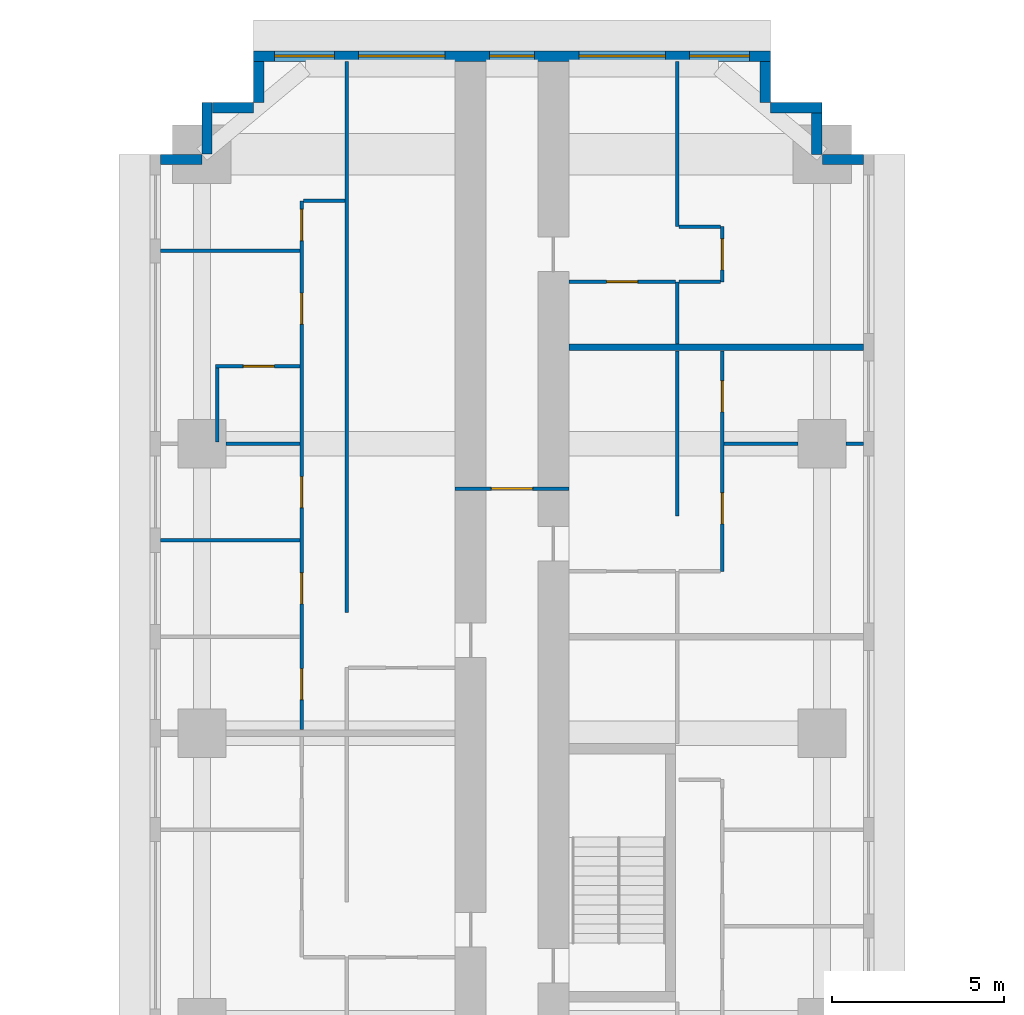
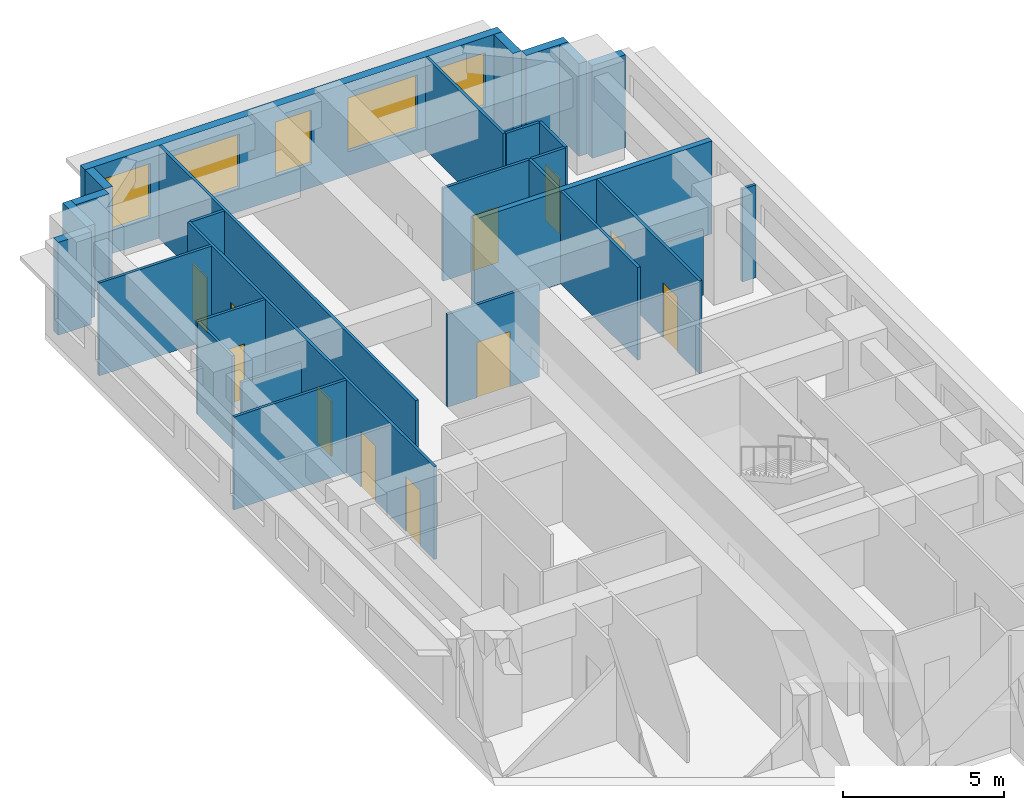
# One storey, part 13 of 15: 29 walls, 11 doors, 5 windows, 16 openings.
"""IFC4 building model written with IfcOpenShell, lengths in metres."""

from ifc_helpers import new_model, si_unit, direction, frame, frame_2d, origin, place, context, subcontext, project, spatial, rectangle, extrude, material, layer, layer_set, type_object, element, fill, save


model = new_model("IFC4")

# Units and contexts
model_context = context("Model", 3, precision=1e-05, world=origin(), true_north=direction((0.0, 1.0)))
body_context = subcontext(model_context, "Body", "Model", "MODEL_VIEW")
ifc_project = project(units=[si_unit("LENGTHUNIT", "METRE"), si_unit("AREAUNIT", "SQUARE_METRE"), si_unit("VOLUMEUNIT", "CUBIC_METRE"), si_unit("PLANEANGLEUNIT", "RADIAN"), si_unit("MASSUNIT", "GRAM", prefix="KILO")], contexts=[model_context])

# Site, building, storey
site_placement = place(None, origin())
site = spatial("IfcSite", under=ifc_project, at=site_placement, CompositionType="ELEMENT")
building_placement = place(site_placement, origin())
building = spatial("IfcBuilding", under=site, at=building_placement, Name="Impinga Residences", CompositionType="ELEMENT")
storey_placement = place(building_placement, frame((0.0, 0.0, 82.25)))
storey = spatial("IfcBuildingStorey", under=building, at=storey_placement, Name="L20", CompositionType="ELEMENT", Elevation=82.25)

# Wall, opening, door
ifc_material_1 = material(Name="Concrete blockwork", Category="masonry")
ifc_layer_1 = layer(ifc_material_1, 0.10009765625)
ifc_layer_set_1 = layer_set([ifc_layer_1], Name="CP1 core room partition, blockwork 100")
wall_type_1 = type_object("IfcWallType", Name="CP1 core room partition, blockwork 100", PredefinedType="PARTITIONING", material=ifc_layer_set_1)
wall_1_placement = place(storey_placement, frame((-1.64990234375, 35.33203125, 0.0), z_axis=(0.0, 0.0, 1.0), x_axis=(1.0, 0.0, 0.0)))
wall_1 = element("IfcWall", 1, at=wall_1_placement, inside=storey, type_object=wall_type_1, Name="Core room partition, blockwork L20:N:SCR", PredefinedType="PARTITIONING", context=body_context, shape_type="SweptSolid", body=[
    extrude(rectangle(XDim=3.2998046875, YDim=0.10009765625, at=frame_2d((1.64990234375, 0.0))), origin(), (0.0, 0.0, 1.0), 3.530029296875),
])
opening_1_placement = place(wall_1_placement, frame((1.050048828125, 0.0, 0.0)))
opening_1 = element("IfcOpeningElement", 2, at=opening_1_placement, cuts=wall_1, Name="Opening D3", PredefinedType="OPENING", context=body_context, shape_type="SweptSolid", body=[
    extrude(rectangle(XDim=1.199951171875, YDim=2.10009765625, at=frame_2d((0.60009765625, 1.050048828125))), frame((0.0, 0.06005859375, 0.0), z_axis=(0.0, -1.0, 0.0), x_axis=(1.0, 0.0, 0.0)), (0.0, 0.0, 1.0), 0.1201171875),
])
ifc_material_2 = material(Name="Timber door set", Category="wood")
door_type_1 = type_object("IfcDoorType", Name="D3 room door, leaf and a half 1200x2100", OperationType="DOUBLE_SWING_LEFT", PredefinedType="DOOR", material=ifc_material_2)
door_1_placement = place(opening_1_placement, origin())
door_1 = element("IfcDoor", 3, at=door_1_placement, inside=storey, type_object=door_type_1, Name="Corridor smoke door N", OperationType="DOUBLE_SWING_LEFT", OverallHeight=2.10009765625, OverallWidth=1.199951171875, PredefinedType="DOOR", context=body_context, shape_type="SweptSolid", body=[
    extrude(rectangle(XDim=1.199951171875, YDim=2.10009765625, at=frame_2d((0.60009765625, 1.050048828125))), frame((0.0, 0.02490234375, 0.0), z_axis=(0.0, -1.0, 0.0), x_axis=(1.0, 0.0, 0.0)), (0.0, 0.0, 1.0), 0.050048828125),
])
fill(opening_1, door_1)

# Walls
ifc_material_3 = material(Name="Terracotta rainscreen on blockwork", Category="masonry")
ifc_layer_2 = layer(ifc_material_3, 0.300048828125)
ifc_layer_set_2 = layer_set([ifc_layer_2], Name="EW1 external wall, terracotta rainscreen on blockwork 300")
wall_type_2 = type_object("IfcWallType", Name="EW1 external wall, terracotta rainscreen on blockwork 300", PredefinedType="SOLIDWALL", material=ifc_layer_set_2)
wall_2_placement = place(storey_placement, frame((-10.199951171875, 44.881591796875, 0.0), z_axis=(0.0, 0.0, 1.0), x_axis=(1.0, 0.0, 0.0)))
element("IfcWall", 4, at=wall_2_placement, inside=storey, type_object=wall_type_2, Name="External wall EW1 L20", PredefinedType="SOLIDWALL", context=body_context, shape_type="SweptSolid", body=[
    extrude(rectangle(XDim=1.199951171875, YDim=0.300048828125, at=frame_2d((0.60009765625, 0.0))), origin(), (0.0, 0.0, 1.0), 3.530029296875),
])
wall_3_placement = place(storey_placement, frame((-8.85009765625, 45.03662109375, 0.0), z_axis=(0.0, 0.0, 1.0), x_axis=(0.0, 1.0, 0.0)))
element("IfcWall", 5, at=wall_3_placement, inside=storey, type_object=wall_type_2, Name="External wall EW1 L20", PredefinedType="SOLIDWALL", context=body_context, shape_type="SweptSolid", body=[
    extrude(rectangle(XDim=1.494873046875, YDim=0.300048828125, at=frame_2d((0.74755859375, 0.0))), origin(), (0.0, 0.0, 1.0), 3.530029296875),
])
wall_4_placement = place(storey_placement, frame((-8.699951171875, 46.381591796875, 0.0), z_axis=(0.0, 0.0, 1.0), x_axis=(1.0, 0.0, 0.0)))
element("IfcWall", 6, at=wall_4_placement, inside=storey, type_object=wall_type_2, Name="External wall EW1 L20", PredefinedType="SOLIDWALL", context=body_context, shape_type="SweptSolid", body=[
    extrude(rectangle(XDim=1.199951171875, YDim=0.300048828125, at=frame_2d((0.60009765625, 0.0))), origin(), (0.0, 0.0, 1.0), 3.530029296875),
])
wall_5_placement = place(storey_placement, frame((-7.35009765625, 46.53662109375, 0.0), z_axis=(0.0, 0.0, 1.0), x_axis=(0.0, 1.0, 0.0)))
element("IfcWall", 7, at=wall_5_placement, inside=storey, type_object=wall_type_2, Name="External wall EW1 L20", PredefinedType="SOLIDWALL", context=body_context, shape_type="SweptSolid", body=[
    extrude(rectangle(XDim=1.19482421875, YDim=0.300048828125, at=frame_2d((0.597412109375, 0.0))), origin(), (0.0, 0.0, 1.0), 3.530029296875),
])

# Wall, openings, windows
wall_6_placement = place(storey_placement, frame((-7.5, 47.881591796875, 0.0), z_axis=(0.0, 0.0, 1.0), x_axis=(1.0, 0.0, 0.0)))
wall_6 = element("IfcWall", 8, at=wall_6_placement, inside=storey, type_object=wall_type_2, Name="External wall EW1 L20", PredefinedType="SOLIDWALL", context=body_context, shape_type="SweptSolid", body=[
    extrude(rectangle(XDim=15.0, YDim=0.300048828125, at=frame_2d((7.5, 0.0))), origin(), (0.0, 0.0, 1.0), 3.530029296875),
])
opening_2_placement = place(wall_6_placement, frame((0.60009765625, 0.0, 0.89990234375)))
opening_2 = element("IfcOpeningElement", 9, at=opening_2_placement, cuts=wall_6, Name="Opening W1", PredefinedType="OPENING", context=body_context, shape_type="SweptSolid", body=[
    extrude(rectangle(XDim=1.75, YDim=2.050048828125, at=frame_2d((0.875, 1.02490234375))), frame((0.0, 0.159912109375, 0.0), z_axis=(0.0, -1.0, 0.0), x_axis=(1.0, 0.0, 0.0)), (0.0, 0.0, 1.0), 0.320068359375),
])
opening_3_placement = place(wall_6_placement, frame((3.050048828125, 0.0, 0.89990234375)))
opening_3 = element("IfcOpeningElement", 10, at=opening_3_placement, cuts=wall_6, Name="Opening W2", PredefinedType="OPENING", context=body_context, shape_type="SweptSolid", body=[
    extrude(rectangle(XDim=2.5, YDim=2.050048828125, at=frame_2d((1.25, 1.02490234375))), frame((0.0, 0.159912109375, 0.0), z_axis=(0.0, -1.0, 0.0), x_axis=(1.0, 0.0, 0.0)), (0.0, 0.0, 1.0), 0.320068359375),
])
opening_4_placement = place(wall_6_placement, frame((6.85009765625, 0.0, 0.89990234375)))
opening_4 = element("IfcOpeningElement", 11, at=opening_4_placement, cuts=wall_6, Name="Opening WE1", PredefinedType="OPENING", context=body_context, shape_type="SweptSolid", body=[
    extrude(rectangle(XDim=1.300048828125, YDim=2.050048828125, at=frame_2d((0.64990234375, 1.02490234375))), frame((0.0, 0.159912109375, 0.0), z_axis=(0.0, -1.0, 0.0), x_axis=(1.0, 0.0, 0.0)), (0.0, 0.0, 1.0), 0.320068359375),
])
opening_5_placement = place(wall_6_placement, frame((9.449951171875, 0.0, 0.89990234375)))
opening_5 = element("IfcOpeningElement", 12, at=opening_5_placement, cuts=wall_6, Name="Opening W2", PredefinedType="OPENING", context=body_context, shape_type="SweptSolid", body=[
    extrude(rectangle(XDim=2.5, YDim=2.050048828125, at=frame_2d((1.25, 1.02490234375))), frame((0.0, 0.159912109375, 0.0), z_axis=(0.0, -1.0, 0.0), x_axis=(1.0, 0.0, 0.0)), (0.0, 0.0, 1.0), 0.320068359375),
])
opening_6_placement = place(wall_6_placement, frame((12.64990234375, 0.0, 0.89990234375)))
opening_6 = element("IfcOpeningElement", 13, at=opening_6_placement, cuts=wall_6, Name="Opening W1", PredefinedType="OPENING", context=body_context, shape_type="SweptSolid", body=[
    extrude(rectangle(XDim=1.75, YDim=2.050048828125, at=frame_2d((0.875, 1.02490234375))), frame((0.0, 0.159912109375, 0.0), z_axis=(0.0, -1.0, 0.0), x_axis=(1.0, 0.0, 0.0)), (0.0, 0.0, 1.0), 0.320068359375),
])
ifc_material_4 = material(Name="Aluminium window, clear double glazing", Category="aluminium")
window_type_1 = type_object("IfcWindowType", Name="W1 ribbon window 1750x2050", PartitioningType="SINGLE_PANEL", PredefinedType="WINDOW", material=ifc_material_4)
window_1_placement = place(opening_2_placement, origin())
window_1 = element("IfcWindow", 14, at=window_1_placement, inside=storey, type_object=window_type_1, Name="Window L20", OverallHeight=2.050048828125, OverallWidth=1.75, PartitioningType="SINGLE_PANEL", PredefinedType="WINDOW", context=body_context, shape_type="SweptSolid", body=[
    extrude(rectangle(XDim=1.75, YDim=2.050048828125, at=frame_2d((0.875, 1.02490234375))), frame((0.0, 0.030029296875, 0.0), z_axis=(0.0, -1.0, 0.0), x_axis=(1.0, 0.0, 0.0)), (0.0, 0.0, 1.0), 0.06005859375),
])
fill(opening_2, window_1)
window_2_placement = place(opening_6_placement, origin())
window_2 = element("IfcWindow", 15, at=window_2_placement, inside=storey, type_object=window_type_1, Name="Window L20", OverallHeight=2.050048828125, OverallWidth=1.75, PartitioningType="SINGLE_PANEL", PredefinedType="WINDOW", context=body_context, shape_type="SweptSolid", body=[
    extrude(rectangle(XDim=1.75, YDim=2.050048828125, at=frame_2d((0.875, 1.02490234375))), frame((0.0, 0.030029296875, 0.0), z_axis=(0.0, -1.0, 0.0), x_axis=(1.0, 0.0, 0.0)), (0.0, 0.0, 1.0), 0.06005859375),
])
fill(opening_6, window_2)
window_type_2 = type_object("IfcWindowType", Name="W2 ribbon window 2500x2050", PartitioningType="SINGLE_PANEL", PredefinedType="WINDOW", material=ifc_material_4)
window_3_placement = place(opening_3_placement, origin())
window_3 = element("IfcWindow", 16, at=window_3_placement, inside=storey, type_object=window_type_2, Name="Window L20", OverallHeight=2.050048828125, OverallWidth=2.5, PartitioningType="SINGLE_PANEL", PredefinedType="WINDOW", context=body_context, shape_type="SweptSolid", body=[
    extrude(rectangle(XDim=2.5, YDim=2.050048828125, at=frame_2d((1.25, 1.02490234375))), frame((0.0, 0.030029296875, 0.0), z_axis=(0.0, -1.0, 0.0), x_axis=(1.0, 0.0, 0.0)), (0.0, 0.0, 1.0), 0.06005859375),
])
fill(opening_3, window_3)
window_4_placement = place(opening_5_placement, origin())
window_4 = element("IfcWindow", 17, at=window_4_placement, inside=storey, type_object=window_type_2, Name="Window L20", OverallHeight=2.050048828125, OverallWidth=2.5, PartitioningType="SINGLE_PANEL", PredefinedType="WINDOW", context=body_context, shape_type="SweptSolid", body=[
    extrude(rectangle(XDim=2.5, YDim=2.050048828125, at=frame_2d((1.25, 1.02490234375))), frame((0.0, 0.030029296875, 0.0), z_axis=(0.0, -1.0, 0.0), x_axis=(1.0, 0.0, 0.0)), (0.0, 0.0, 1.0), 0.06005859375),
])
fill(opening_5, window_4)
window_type_3 = type_object("IfcWindowType", Name="WE1 corridor window 1300x2050", PartitioningType="SINGLE_PANEL", PredefinedType="WINDOW", material=ifc_material_4)
window_5_placement = place(opening_4_placement, origin())
window_5 = element("IfcWindow", 18, at=window_5_placement, inside=storey, type_object=window_type_3, Name="Window L20", OverallHeight=2.050048828125, OverallWidth=1.300048828125, PartitioningType="SINGLE_PANEL", PredefinedType="WINDOW", context=body_context, shape_type="SweptSolid", body=[
    extrude(rectangle(XDim=1.300048828125, YDim=2.050048828125, at=frame_2d((0.64990234375, 1.02490234375))), frame((0.0, 0.030029296875, 0.0), z_axis=(0.0, -1.0, 0.0), x_axis=(1.0, 0.0, 0.0)), (0.0, 0.0, 1.0), 0.06005859375),
])
fill(opening_4, window_5)

# Walls
wall_7_placement = place(storey_placement, frame((7.35009765625, 47.7314453125, 0.0), z_axis=(0.0, 0.0, 1.0), x_axis=(0.0, -1.0, 0.0)))
element("IfcWall", 19, at=wall_7_placement, inside=storey, type_object=wall_type_2, Name="External wall EW1 L20", PredefinedType="SOLIDWALL", context=body_context, shape_type="SweptSolid", body=[
    extrude(rectangle(XDim=1.19482421875, YDim=0.300048828125, at=frame_2d((0.597412109375, 0.0))), origin(), (0.0, 0.0, 1.0), 3.530029296875),
])
wall_8_placement = place(storey_placement, frame((7.5, 46.381591796875, 0.0), z_axis=(0.0, 0.0, 1.0), x_axis=(1.0, 0.0, 0.0)))
element("IfcWall", 20, at=wall_8_placement, inside=storey, type_object=wall_type_2, Name="External wall EW1 L20", PredefinedType="SOLIDWALL", context=body_context, shape_type="SweptSolid", body=[
    extrude(rectangle(XDim=1.5, YDim=0.300048828125, at=frame_2d((0.75, 0.0))), origin(), (0.0, 0.0, 1.0), 3.530029296875),
])
wall_9_placement = place(storey_placement, frame((8.85009765625, 46.2314453125, 0.0), z_axis=(0.0, 0.0, 1.0), x_axis=(0.0, -1.0, 0.0)))
element("IfcWall", 21, at=wall_9_placement, inside=storey, type_object=wall_type_2, Name="External wall EW1 L20", PredefinedType="SOLIDWALL", context=body_context, shape_type="SweptSolid", body=[
    extrude(rectangle(XDim=1.199951171875, YDim=0.300048828125, at=frame_2d((0.60009765625, 0.0))), origin(), (0.0, 0.0, 1.0), 3.530029296875),
])
wall_10_placement = place(storey_placement, frame((9.0048828125, 44.881591796875, 0.0), z_axis=(0.0, 0.0, 1.0), x_axis=(1.0, 0.0, 0.0)))
element("IfcWall", 22, at=wall_10_placement, inside=storey, type_object=wall_type_2, Name="External wall EW1 L20", PredefinedType="SOLIDWALL", context=body_context, shape_type="SweptSolid", body=[
    extrude(rectangle(XDim=1.195068359375, YDim=0.300048828125, at=frame_2d((0.59765625, 0.0))), origin(), (0.0, 0.0, 1.0), 3.530029296875),
])
ifc_material_5 = material(Name="Gypsum board on steel studs", Category="steel")
ifc_layer_3 = layer(ifc_material_5, 0.10009765625)
ifc_layer_set_3 = layer_set([ifc_layer_3], Name="Gypsum board on steel studs")
wall_type_3 = type_object("IfcWallType", Name="IP1 partition 100", PredefinedType="PARTITIONING", material=ifc_layer_set_3)
wall_11_placement = place(storey_placement, frame((-4.800048828125, 31.7314453125, 0.0), z_axis=(0.0, 0.0, 1.0), x_axis=(0.0, 1.0, 0.0)))
element("IfcWall", 23, at=wall_11_placement, inside=storey, type_object=wall_type_3, Name="Partition L20-NA3:DIV1", PredefinedType="PARTITIONING", context=body_context, shape_type="SweptSolid", body=[
    extrude(rectangle(XDim=16.0, YDim=0.10009765625, at=frame_2d((8.0, 0.0))), origin(), (0.0, 0.0, 1.0), 3.530029296875),
])

# Wall, openings, doors
wall_12_placement = place(storey_placement, frame((-6.10009765625, 28.33154296875, 0.0), z_axis=(0.0, 0.0, 1.0), x_axis=(0.0, 1.0, 0.0)))
wall_12 = element("IfcWall", 24, at=wall_12_placement, inside=storey, type_object=wall_type_3, Name="Partition L20-NA3:STRIP", PredefinedType="PARTITIONING", context=body_context, shape_type="SweptSolid", body=[
    extrude(rectangle(XDim=15.35009765625, YDim=0.10009765625, at=frame_2d((7.675048828125, 0.0))), origin(), (0.0, 0.0, 1.0), 3.530029296875),
])
opening_7_placement = place(wall_12_placement, frame((0.875, 0.0, 0.0)))
opening_7 = element("IfcOpeningElement", 25, at=opening_7_placement, cuts=wall_12, Name="Opening D2", PredefinedType="OPENING", context=body_context, shape_type="SweptSolid", body=[
    extrude(rectangle(XDim=0.89990234375, YDim=2.10009765625, at=frame_2d((0.449951171875, 1.050048828125))), frame((0.0, 0.06005859375, 0.0), z_axis=(0.0, -1.0, 0.0), x_axis=(1.0, 0.0, 0.0)), (0.0, 0.0, 1.0), 0.1201171875),
])
opening_8_placement = place(wall_12_placement, frame((3.64990234375, 0.0, 0.0)))
opening_8 = element("IfcOpeningElement", 26, at=opening_8_placement, cuts=wall_12, Name="Opening D2", PredefinedType="OPENING", context=body_context, shape_type="SweptSolid", body=[
    extrude(rectangle(XDim=0.89990234375, YDim=2.10009765625, at=frame_2d((0.449951171875, 1.050048828125))), frame((0.0, 0.06005859375, 0.0), z_axis=(0.0, -1.0, 0.0), x_axis=(1.0, 0.0, 0.0)), (0.0, 0.0, 1.0), 0.1201171875),
])
opening_9_placement = place(wall_12_placement, frame((6.449951171875, 0.0, 0.0)))
opening_9 = element("IfcOpeningElement", 27, at=opening_9_placement, cuts=wall_12, Name="Opening D2", PredefinedType="OPENING", context=body_context, shape_type="SweptSolid", body=[
    extrude(rectangle(XDim=0.89990234375, YDim=2.10009765625, at=frame_2d((0.449951171875, 1.050048828125))), frame((0.0, 0.06005859375, 0.0), z_axis=(0.0, -1.0, 0.0), x_axis=(1.0, 0.0, 0.0)), (0.0, 0.0, 1.0), 0.1201171875),
])
opening_10_placement = place(wall_12_placement, frame((11.77490234375, 0.0, 0.0)))
opening_10 = element("IfcOpeningElement", 28, at=opening_10_placement, cuts=wall_12, Name="Opening D2", PredefinedType="OPENING", context=body_context, shape_type="SweptSolid", body=[
    extrude(rectangle(XDim=0.89990234375, YDim=2.10009765625, at=frame_2d((0.449951171875, 1.050048828125))), frame((0.0, 0.06005859375, 0.0), z_axis=(0.0, -1.0, 0.0), x_axis=(1.0, 0.0, 0.0)), (0.0, 0.0, 1.0), 0.1201171875),
])
opening_11_placement = place(wall_12_placement, frame((14.199951171875, 0.0, 0.0)))
opening_11 = element("IfcOpeningElement", 29, at=opening_11_placement, cuts=wall_12, Name="Opening D2", PredefinedType="OPENING", context=body_context, shape_type="SweptSolid", body=[
    extrude(rectangle(XDim=0.89990234375, YDim=2.10009765625, at=frame_2d((0.449951171875, 1.050048828125))), frame((0.0, 0.06005859375, 0.0), z_axis=(0.0, -1.0, 0.0), x_axis=(1.0, 0.0, 0.0)), (0.0, 0.0, 1.0), 0.1201171875),
])
door_type_2 = type_object("IfcDoorType", Name="D2 internal door 900x2100", OperationType="SINGLE_SWING_LEFT", PredefinedType="DOOR", material=ifc_material_2)
door_2_placement = place(opening_7_placement, origin())
door_2 = element("IfcDoor", 30, at=door_2_placement, inside=storey, type_object=door_type_2, Name="Apartment L20-NA3 room door", OperationType="SINGLE_SWING_LEFT", OverallHeight=2.10009765625, OverallWidth=0.89990234375, PredefinedType="DOOR", context=body_context, shape_type="SweptSolid", body=[
    extrude(rectangle(XDim=0.89990234375, YDim=2.10009765625, at=frame_2d((0.449951171875, 1.050048828125))), frame((0.0, 0.02490234375, 0.0), z_axis=(0.0, -1.0, 0.0), x_axis=(1.0, 0.0, 0.0)), (0.0, 0.0, 1.0), 0.050048828125),
])
fill(opening_7, door_2)
door_3_placement = place(opening_8_placement, origin())
door_3 = element("IfcDoor", 31, at=door_3_placement, inside=storey, type_object=door_type_2, Name="Apartment L20-NA3 room door", OperationType="SINGLE_SWING_LEFT", OverallHeight=2.10009765625, OverallWidth=0.89990234375, PredefinedType="DOOR", context=body_context, shape_type="SweptSolid", body=[
    extrude(rectangle(XDim=0.89990234375, YDim=2.10009765625, at=frame_2d((0.449951171875, 1.050048828125))), frame((0.0, 0.02490234375, 0.0), z_axis=(0.0, -1.0, 0.0), x_axis=(1.0, 0.0, 0.0)), (0.0, 0.0, 1.0), 0.050048828125),
])
fill(opening_8, door_3)
door_4_placement = place(opening_9_placement, origin())
door_4 = element("IfcDoor", 32, at=door_4_placement, inside=storey, type_object=door_type_2, Name="Apartment L20-NA3 room door", OperationType="SINGLE_SWING_LEFT", OverallHeight=2.10009765625, OverallWidth=0.89990234375, PredefinedType="DOOR", context=body_context, shape_type="SweptSolid", body=[
    extrude(rectangle(XDim=0.89990234375, YDim=2.10009765625, at=frame_2d((0.449951171875, 1.050048828125))), frame((0.0, 0.02490234375, 0.0), z_axis=(0.0, -1.0, 0.0), x_axis=(1.0, 0.0, 0.0)), (0.0, 0.0, 1.0), 0.050048828125),
])
fill(opening_9, door_4)
door_5_placement = place(opening_10_placement, origin())
door_5 = element("IfcDoor", 33, at=door_5_placement, inside=storey, type_object=door_type_2, Name="Apartment L20-NA3 room door", OperationType="SINGLE_SWING_RIGHT", OverallHeight=2.10009765625, OverallWidth=0.89990234375, PredefinedType="DOOR", context=body_context, shape_type="SweptSolid", body=[
    extrude(rectangle(XDim=0.89990234375, YDim=2.10009765625, at=frame_2d((0.449951171875, 1.050048828125))), frame((0.0, 0.02490234375, 0.0), z_axis=(0.0, -1.0, 0.0), x_axis=(1.0, 0.0, 0.0)), (0.0, 0.0, 1.0), 0.050048828125),
])
fill(opening_10, door_5)
door_6_placement = place(opening_11_placement, origin())
door_6 = element("IfcDoor", 34, at=door_6_placement, inside=storey, type_object=door_type_2, Name="Apartment L20-NA3 room door", OperationType="SINGLE_SWING_RIGHT", OverallHeight=2.10009765625, OverallWidth=0.89990234375, PredefinedType="DOOR", context=body_context, shape_type="SweptSolid", body=[
    extrude(rectangle(XDim=0.89990234375, YDim=2.10009765625, at=frame_2d((0.449951171875, 1.050048828125))), frame((0.0, 0.02490234375, 0.0), z_axis=(0.0, -1.0, 0.0), x_axis=(1.0, 0.0, 0.0)), (0.0, 0.0, 1.0), 0.050048828125),
])
fill(opening_11, door_6)

# Walls
wall_13_placement = place(storey_placement, frame((-4.85009765625, 43.681640625, 0.0), z_axis=(0.0, 0.0, 1.0), x_axis=(-1.0, 0.0, 0.0)))
element("IfcWall", 35, at=wall_13_placement, inside=storey, type_object=wall_type_3, Name="Partition L20-NA3:SE1", PredefinedType="PARTITIONING", context=body_context, shape_type="SweptSolid", body=[
    extrude(rectangle(XDim=1.199951171875, YDim=0.10009765625, at=frame_2d((0.60009765625, 0.0))), origin(), (0.0, 0.0, 1.0), 3.530029296875),
])
wall_14_placement = place(storey_placement, frame((-6.14990234375, 33.83154296875, 0.0), z_axis=(0.0, 0.0, 1.0), x_axis=(-1.0, 0.0, 0.0)))
element("IfcWall", 36, at=wall_14_placement, inside=storey, type_object=wall_type_3, Name="Partition L20-NA3:OB2", PredefinedType="PARTITIONING", context=body_context, shape_type="SweptSolid", body=[
    extrude(rectangle(XDim=4.050048828125, YDim=0.10009765625, at=frame_2d((2.02490234375, 0.0))), origin(), (0.0, 0.0, 1.0), 3.530029296875),
])
wall_15_placement = place(storey_placement, frame((-6.14990234375, 36.631591796875, 0.0), z_axis=(0.0, 0.0, 1.0), x_axis=(-1.0, 0.0, 0.0)))
element("IfcWall", 37, at=wall_15_placement, inside=storey, type_object=wall_type_3, Name="Partition L20-NA3:OB3", PredefinedType="PARTITIONING", context=body_context, shape_type="SweptSolid", body=[
    extrude(rectangle(XDim=2.150146484375, YDim=0.10009765625, at=frame_2d((1.0751953125, 0.0))), origin(), (0.0, 0.0, 1.0), 2.47998046875),
])
wall_16_placement = place(storey_placement, frame((-6.14990234375, 42.2314453125, 0.0), z_axis=(0.0, 0.0, 1.0), x_axis=(-1.0, 0.0, 0.0)))
element("IfcWall", 38, at=wall_16_placement, inside=storey, type_object=wall_type_3, Name="Partition L20-NA3:OB4", PredefinedType="PARTITIONING", context=body_context, shape_type="SweptSolid", body=[
    extrude(rectangle(XDim=4.050048828125, YDim=0.10009765625, at=frame_2d((2.02490234375, 0.0))), origin(), (0.0, 0.0, 1.0), 3.530029296875),
])

# Wall, opening, door
wall_17_placement = place(storey_placement, frame((-6.14990234375, 38.881591796875, 0.0), z_axis=(0.0, 0.0, 1.0), x_axis=(-1.0, 0.0, 0.0)))
wall_17 = element("IfcWall", 39, at=wall_17_placement, inside=storey, type_object=wall_type_3, Name="Partition L20-NA3:EN1", PredefinedType="PARTITIONING", context=body_context, shape_type="SweptSolid", body=[
    extrude(rectangle(XDim=2.4501953125, YDim=0.10009765625, at=frame_2d((1.22509765625, 0.0))), origin(), (0.0, 0.0, 1.0), 3.530029296875),
])
opening_12_placement = place(wall_17_placement, frame((0.75, 0.0, 0.0)))
opening_12 = element("IfcOpeningElement", 40, at=opening_12_placement, cuts=wall_17, Name="Opening D2", PredefinedType="OPENING", context=body_context, shape_type="SweptSolid", body=[
    extrude(rectangle(XDim=0.89990234375, YDim=2.10009765625, at=frame_2d((0.449951171875, 1.050048828125))), frame((0.0, 0.06005859375, 0.0), z_axis=(0.0, -1.0, 0.0), x_axis=(1.0, 0.0, 0.0)), (0.0, 0.0, 1.0), 0.1201171875),
])
door_7_placement = place(opening_12_placement, origin())
door_7 = element("IfcDoor", 41, at=door_7_placement, inside=storey, type_object=door_type_2, Name="Apartment L20-NA3 en-suite door", OperationType="SINGLE_SWING_LEFT", OverallHeight=2.10009765625, OverallWidth=0.89990234375, PredefinedType="DOOR", context=body_context, shape_type="SweptSolid", body=[
    extrude(rectangle(XDim=0.89990234375, YDim=2.10009765625, at=frame_2d((0.449951171875, 1.050048828125))), frame((0.0, 0.02490234375, 0.0), z_axis=(0.0, -1.0, 0.0), x_axis=(1.0, 0.0, 0.0)), (0.0, 0.0, 1.0), 0.050048828125),
])
fill(opening_12, door_7)

# Walls
wall_18_placement = place(storey_placement, frame((-8.550048828125, 36.681640625, 0.0), z_axis=(0.0, 0.0, 1.0), x_axis=(0.0, 1.0, 0.0)))
element("IfcWall", 42, at=wall_18_placement, inside=storey, type_object=wall_type_3, Name="Partition L20-NA3:EN2", PredefinedType="PARTITIONING", context=body_context, shape_type="SweptSolid", body=[
    extrude(rectangle(XDim=2.14990234375, YDim=0.10009765625, at=frame_2d((1.074951171875, 0.0))), origin(), (0.0, 0.0, 1.0), 3.530029296875),
])
wall_19_placement = place(storey_placement, frame((4.800048828125, 34.531494140625, 0.0), z_axis=(0.0, 0.0, 1.0), x_axis=(0.0, 1.0, 0.0)))
element("IfcWall", 43, at=wall_19_placement, inside=storey, type_object=wall_type_3, Name="Partition L20-NF2:DIV1", PredefinedType="PARTITIONING", context=body_context, shape_type="SweptSolid", body=[
    extrude(rectangle(XDim=4.800048828125, YDim=0.10009765625, at=frame_2d((2.39990234375, 0.0))), origin(), (0.0, 0.0, 1.0), 3.530029296875),
])

# Wall, openings, doors
wall_20_placement = place(storey_placement, frame((6.10009765625, 32.931640625, 0.0), z_axis=(0.0, 0.0, 1.0), x_axis=(0.0, 1.0, 0.0)))
wall_20 = element("IfcWall", 44, at=wall_20_placement, inside=storey, type_object=wall_type_3, Name="Partition L20-NF2:STRIP", PredefinedType="PARTITIONING", context=body_context, shape_type="SweptSolid", body=[
    extrude(rectangle(XDim=6.39990234375, YDim=0.10009765625, at=frame_2d((3.199951171875, 0.0))), origin(), (0.0, 0.0, 1.0), 3.530029296875),
])
opening_13_placement = place(wall_20_placement, frame((1.375, 0.0, 0.0)))
opening_13 = element("IfcOpeningElement", 45, at=opening_13_placement, cuts=wall_20, Name="Opening D2", PredefinedType="OPENING", context=body_context, shape_type="SweptSolid", body=[
    extrude(rectangle(XDim=0.89990234375, YDim=2.10009765625, at=frame_2d((0.449951171875, 1.050048828125))), frame((0.0, 0.06005859375, 0.0), z_axis=(0.0, -1.0, 0.0), x_axis=(1.0, 0.0, 0.0)), (0.0, 0.0, 1.0), 0.1201171875),
])
opening_14_placement = place(wall_20_placement, frame((4.625, 0.0, 0.0)))
opening_14 = element("IfcOpeningElement", 46, at=opening_14_placement, cuts=wall_20, Name="Opening D2", PredefinedType="OPENING", context=body_context, shape_type="SweptSolid", body=[
    extrude(rectangle(XDim=0.89990234375, YDim=2.10009765625, at=frame_2d((0.449951171875, 1.050048828125))), frame((0.0, 0.06005859375, 0.0), z_axis=(0.0, -1.0, 0.0), x_axis=(1.0, 0.0, 0.0)), (0.0, 0.0, 1.0), 0.1201171875),
])
door_8_placement = place(opening_13_placement, origin())
door_8 = element("IfcDoor", 47, at=door_8_placement, inside=storey, type_object=door_type_2, Name="Apartment L20-NF2 room door", OperationType="SINGLE_SWING_LEFT", OverallHeight=2.10009765625, OverallWidth=0.89990234375, PredefinedType="DOOR", context=body_context, shape_type="SweptSolid", body=[
    extrude(rectangle(XDim=0.89990234375, YDim=2.10009765625, at=frame_2d((0.449951171875, 1.050048828125))), frame((0.0, 0.02490234375, 0.0), z_axis=(0.0, -1.0, 0.0), x_axis=(1.0, 0.0, 0.0)), (0.0, 0.0, 1.0), 0.050048828125),
])
fill(opening_13, door_8)
door_9_placement = place(opening_14_placement, origin())
door_9 = element("IfcDoor", 48, at=door_9_placement, inside=storey, type_object=door_type_2, Name="Apartment L20-NF2 room door", OperationType="SINGLE_SWING_RIGHT", OverallHeight=2.10009765625, OverallWidth=0.89990234375, PredefinedType="DOOR", context=body_context, shape_type="SweptSolid", body=[
    extrude(rectangle(XDim=0.89990234375, YDim=2.10009765625, at=frame_2d((0.449951171875, 1.050048828125))), frame((0.0, 0.02490234375, 0.0), z_axis=(0.0, -1.0, 0.0), x_axis=(1.0, 0.0, 0.0)), (0.0, 0.0, 1.0), 0.050048828125),
])
fill(opening_14, door_9)

# Walls
wall_21_placement = place(storey_placement, frame((6.14990234375, 36.631591796875, 0.0), z_axis=(0.0, 0.0, 1.0), x_axis=(1.0, 0.0, 0.0)))
element("IfcWall", 49, at=wall_21_placement, inside=storey, type_object=wall_type_3, Name="Partition L20-NF2:OB1", PredefinedType="PARTITIONING", context=body_context, shape_type="SweptSolid", body=[
    extrude(rectangle(XDim=2.150146484375, YDim=0.10009765625, at=frame_2d((1.0751953125, 0.0))), origin(), (0.0, 0.0, 1.0), 2.47998046875),
])
wall_22_placement = place(storey_placement, frame((9.699951171875, 36.631591796875, 0.0), z_axis=(0.0, 0.0, 1.0), x_axis=(1.0, 0.0, 0.0)))
element("IfcWall", 50, at=wall_22_placement, inside=storey, type_object=wall_type_3, Name="Partition L20-NF2:OB1b", PredefinedType="PARTITIONING", context=body_context, shape_type="SweptSolid", body=[
    extrude(rectangle(XDim=0.5, YDim=0.10009765625, at=frame_2d((0.25, 0.0))), origin(), (0.0, 0.0, 1.0), 3.530029296875),
])
wall_23_placement = place(storey_placement, frame((4.800048828125, 39.531494140625, 0.0), z_axis=(0.0, 0.0, 1.0), x_axis=(0.0, 1.0, 0.0)))
element("IfcWall", 51, at=wall_23_placement, inside=storey, type_object=wall_type_3, Name="Partition L20-NF3:DIV0", PredefinedType="PARTITIONING", context=body_context, shape_type="SweptSolid", body=[
    extrude(rectangle(XDim=1.800048828125, YDim=0.10009765625, at=frame_2d((0.89990234375, 0.0))), origin(), (0.0, 0.0, 1.0), 3.530029296875),
])
wall_24_placement = place(storey_placement, frame((4.800048828125, 42.931640625, 0.0), z_axis=(0.0, 0.0, 1.0), x_axis=(0.0, 1.0, 0.0)))
element("IfcWall", 52, at=wall_24_placement, inside=storey, type_object=wall_type_3, Name="Partition L20-NF3:DIV1", PredefinedType="PARTITIONING", context=body_context, shape_type="SweptSolid", body=[
    extrude(rectangle(XDim=4.7998046875, YDim=0.10009765625, at=frame_2d((2.39990234375, 0.0))), origin(), (0.0, 0.0, 1.0), 3.530029296875),
])

# Wall, opening, door
wall_25_placement = place(storey_placement, frame((6.10009765625, 41.33154296875, 0.0), z_axis=(0.0, 0.0, 1.0), x_axis=(0.0, 1.0, 0.0)))
wall_25 = element("IfcWall", 53, at=wall_25_placement, inside=storey, type_object=wall_type_3, Name="Partition L20-NF3:STRIP", PredefinedType="PARTITIONING", context=body_context, shape_type="SweptSolid", body=[
    extrude(rectangle(XDim=1.60009765625, YDim=0.10009765625, at=frame_2d((0.800048828125, 0.0))), origin(), (0.0, 0.0, 1.0), 3.530029296875),
])
opening_15_placement = place(wall_25_placement, frame((0.35009765625, 0.0, 0.0)))
opening_15 = element("IfcOpeningElement", 54, at=opening_15_placement, cuts=wall_25, Name="Opening D2", PredefinedType="OPENING", context=body_context, shape_type="SweptSolid", body=[
    extrude(rectangle(XDim=0.89990234375, YDim=2.10009765625, at=frame_2d((0.449951171875, 1.050048828125))), frame((0.0, 0.06005859375, 0.0), z_axis=(0.0, -1.0, 0.0), x_axis=(1.0, 0.0, 0.0)), (0.0, 0.0, 1.0), 0.1201171875),
])
door_10_placement = place(opening_15_placement, origin())
door_10 = element("IfcDoor", 55, at=door_10_placement, inside=storey, type_object=door_type_2, Name="Apartment L20-NF3 room door", OperationType="SINGLE_SWING_LEFT", OverallHeight=2.10009765625, OverallWidth=0.89990234375, PredefinedType="DOOR", context=body_context, shape_type="SweptSolid", body=[
    extrude(rectangle(XDim=0.89990234375, YDim=2.10009765625, at=frame_2d((0.449951171875, 1.050048828125))), frame((0.0, 0.02490234375, 0.0), z_axis=(0.0, -1.0, 0.0), x_axis=(1.0, 0.0, 0.0)), (0.0, 0.0, 1.0), 0.050048828125),
])
fill(opening_15, door_10)

# Walls
for number, where, z_axis, x_axis, name in (
    (56, (4.85009765625, 41.33154296875, 0.0), (0.0, 0.0, 1.0), (1.0, 0.0, 0.0), "Partition L20-NF3:SE0"),
    (57, (4.85009765625, 42.931640625, 0.0), (0.0, 0.0, 1.0), (1.0, 0.0, 0.0), "Partition L20-NF3:SE1"),
):
    element("IfcWall", number, at=place(storey_placement, frame(where, z_axis=z_axis, x_axis=x_axis)), inside=storey, type_object=wall_type_3, Name=name, PredefinedType="PARTITIONING", context=body_context, shape_type="SweptSolid", body=[
        extrude(rectangle(XDim=1.199951171875, YDim=0.10009765625, at=frame_2d((0.60009765625, 0.0))), origin(), (0.0, 0.0, 1.0), 3.530029296875),
    ])

# Wall, opening, door
wall_26_placement = place(storey_placement, frame((1.64990234375, 41.33154296875, 0.0), z_axis=(0.0, 0.0, 1.0), x_axis=(1.0, 0.0, 0.0)))
wall_26 = element("IfcWall", 58, at=wall_26_placement, inside=storey, type_object=wall_type_3, Name="Partition L20-NF3:IB1", PredefinedType="PARTITIONING", context=body_context, shape_type="SweptSolid", body=[
    extrude(rectangle(XDim=3.10009765625, YDim=0.10009765625, at=frame_2d((1.550048828125, 0.0))), origin(), (0.0, 0.0, 1.0), 3.530029296875),
])
opening_16_placement = place(wall_26_placement, frame((1.10009765625, 0.0, 0.0)))
opening_16 = element("IfcOpeningElement", 59, at=opening_16_placement, cuts=wall_26, Name="Opening D2", PredefinedType="OPENING", context=body_context, shape_type="SweptSolid", body=[
    extrude(rectangle(XDim=0.89990234375, YDim=2.10009765625, at=frame_2d((0.449951171875, 1.050048828125))), frame((0.0, 0.06005859375, 0.0), z_axis=(0.0, -1.0, 0.0), x_axis=(1.0, 0.0, 0.0)), (0.0, 0.0, 1.0), 0.1201171875),
])
door_11_placement = place(opening_16_placement, origin())
door_11 = element("IfcDoor", 60, at=door_11_placement, inside=storey, type_object=door_type_2, Name="Apartment L20-NF3 bathroom door", OperationType="SINGLE_SWING_LEFT", OverallHeight=2.10009765625, OverallWidth=0.89990234375, PredefinedType="DOOR", context=body_context, shape_type="SweptSolid", body=[
    extrude(rectangle(XDim=0.89990234375, YDim=2.10009765625, at=frame_2d((0.449951171875, 1.050048828125))), frame((0.0, 0.02490234375, 0.0), z_axis=(0.0, -1.0, 0.0), x_axis=(1.0, 0.0, 0.0)), (0.0, 0.0, 1.0), 0.050048828125),
])
fill(opening_16, door_11)

# Wall
ifc_layer_4 = layer(ifc_material_1, 0.199951171875)
ifc_layer_set_4 = layer_set([ifc_layer_4], Name="PW1 party wall between apartments 200")
wall_type_4 = type_object("IfcWallType", Name="PW1 party wall between apartments 200", PredefinedType="SOLIDWALL", material=ifc_layer_set_4)
wall_27_placement = place(storey_placement, frame((1.64990234375, 39.431640625, 0.0), z_axis=(0.0, 0.0, 1.0), x_axis=(1.0, 0.0, 0.0)))
element("IfcWall", 61, at=wall_27_placement, inside=storey, type_object=wall_type_4, Name="Party wall between apartments L20-NF2:PARTY", PredefinedType="SOLIDWALL", context=body_context, shape_type="SweptSolid", body=[
    extrude(rectangle(XDim=8.550048828125, YDim=0.199951171875, at=frame_2d((4.27490234375, 0.0))), origin(), (0.0, 0.0, 1.0), 3.530029296875),
])

save(model, "model.ifc")
